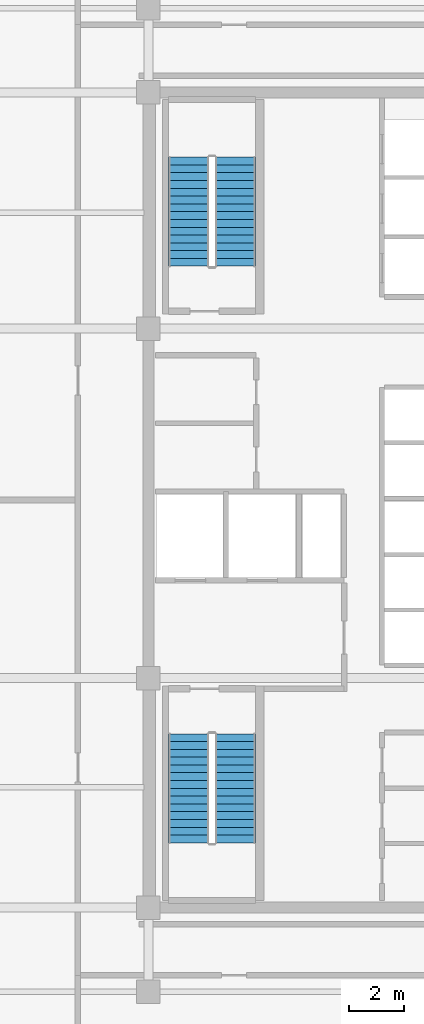
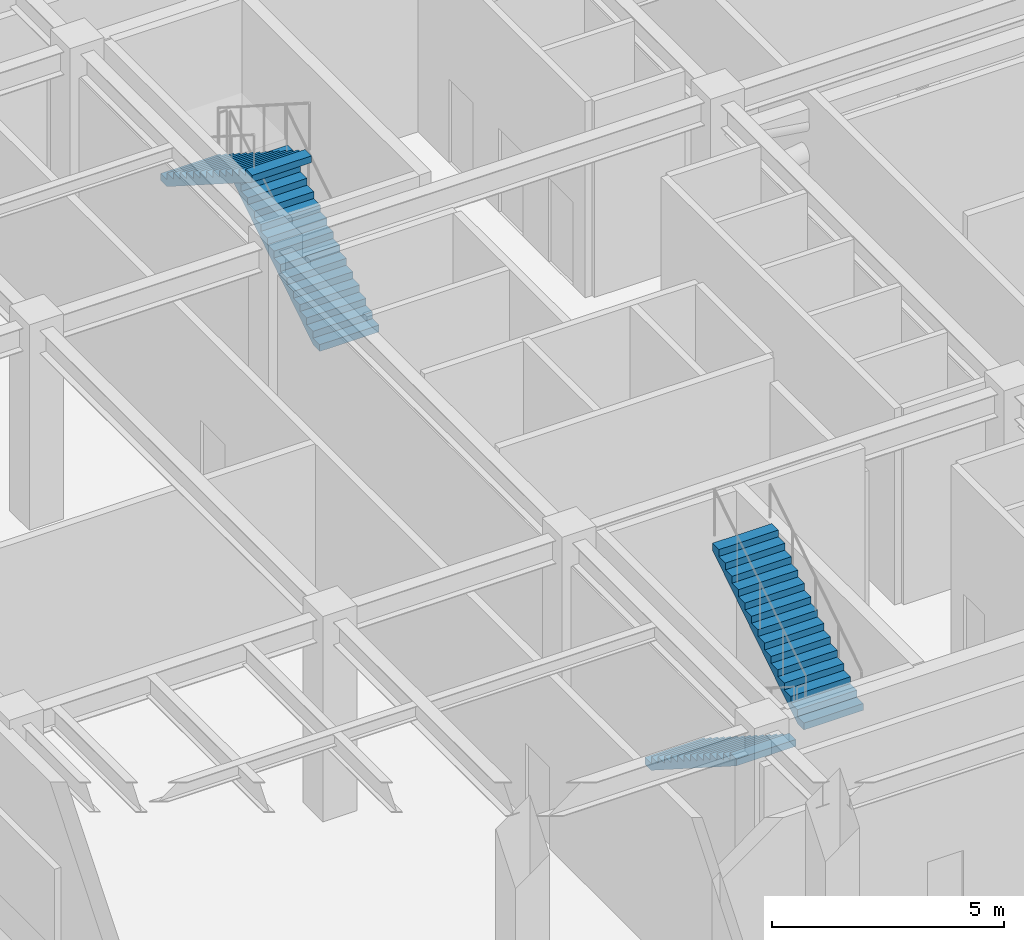
# One storey, part 8 of 12: 4 stair flights, 2 elements without a shape of their own.
"""IFC4 building model written with IfcOpenShell, lengths in metres."""

from ifc_helpers import new_model, si_unit, direction, frame, origin, place, context, subcontext, project, spatial, polyline, outline, extrude, material, type_object, element, aggregate, save


model = new_model("IFC4")

# Units and contexts
model_context = context("Model", 3, precision=1e-05, world=origin(), true_north=direction((0.0, 1.0)))
body_context = subcontext(model_context, "Body", "Model", "MODEL_VIEW")
ifc_project = project(units=[si_unit("LENGTHUNIT", "METRE"), si_unit("AREAUNIT", "SQUARE_METRE"), si_unit("VOLUMEUNIT", "CUBIC_METRE"), si_unit("PLANEANGLEUNIT", "RADIAN"), si_unit("MASSUNIT", "GRAM", prefix="KILO")], contexts=[model_context])

# Site, building, storey
site_placement = place(None, origin())
site = spatial("IfcSite", under=ifc_project, at=site_placement, CompositionType="ELEMENT")
building_placement = place(site_placement, origin())
building = spatial("IfcBuilding", under=site, at=building_placement, Name="Ochreholt Gables", CompositionType="ELEMENT")
storey_placement = place(building_placement, frame((0.0, 0.0, 135.60009765625)))
storey = spatial("IfcBuildingStorey", under=building, at=storey_placement, Name="L35", CompositionType="ELEMENT", Elevation=135.60009765625)

# Stair, stair flights
ifc_material = material(Name="Concrete 40 MPa", Category="concrete")
stair_type_1 = type_object("IfcStairType", Name="STAIR-CORE-ST-1", PredefinedType="HALF_TURN_STAIR", material=ifc_material)
stair_1_placement = place(storey_placement, origin())
stair_1 = element("IfcStair", 1, at=stair_1_placement, inside=storey, type_object=stair_type_1, Name="L35 Core Exit Stair 1", PredefinedType="HALF_TURN_STAIR")
stair_flight_type = type_object("IfcStairFlightType", Name="FLIGHT-ST-1480-1800", PredefinedType="STRAIGHT", material=ifc_material)
stair_flight_1_placement = place(storey_placement, frame((25.659912109375, 15.5400390625, 0.0), z_axis=(0.0, 0.0, 1.0), x_axis=(0.0, -1.0, 0.0)))
stair_flight_1 = element("IfcStairFlight", 2, at=stair_flight_1_placement, type_object=stair_flight_type, Name="ST-1 flight 1", NumberOfRisers=15, NumberOfTreads=14, PredefinedType="STRAIGHT", RiserHeight=0.18, TreadLength=0.282, context=body_context, shape_type="SweptSolid", body=[
    extrude(outline(polyline([(0.0, 0.0), (0.0, 0.179931640625), (0.281982421875, 0.179931640625), (0.281982421875, 0.360107421875), (0.56396484375, 0.360107421875), (0.56396484375, 0.5400390625), (0.845947265625, 0.5400390625), (0.845947265625, 0.719970703125), (1.1279296875, 0.719970703125), (1.1279296875, 0.89990234375), (1.409912109375, 0.89990234375), (1.409912109375, 1.080078125), (1.69189453125, 1.080078125), (1.69189453125, 1.260009765625), (1.97412109375, 1.260009765625), (1.97412109375, 1.43994140625), (2.256103515625, 1.43994140625), (2.256103515625, 1.6201171875), (2.5380859375, 1.6201171875), (2.5380859375, 1.800048828125), (2.820068359375, 1.800048828125), (2.820068359375, 1.97998046875), (3.10205078125, 1.97998046875), (3.10205078125, 2.159912109375), (3.384033203125, 2.159912109375), (3.384033203125, 2.340087890625), (3.666015625, 2.340087890625), (3.666015625, 2.52001953125), (3.947998046875, 2.52001953125), (3.947998046875, 2.699951171875), (3.947998046875, 2.34228515625), (0.278564453125, 0.0), (0.0, 0.0)])), frame((0.0, 0.739990234375, 0.0), z_axis=(0.0, -1.0, 0.0), x_axis=(1.0, 0.0, 0.0)), (0.0, 0.0, 1.0), 1.47998046875),
])
stair_flight_2_placement = place(storey_placement, frame((27.340087890625, 11.592041015625, 2.699951171875), z_axis=(0.0, 0.0, 1.0), x_axis=(0.0, 1.0, 0.0)))
stair_flight_2 = element("IfcStairFlight", 3, at=stair_flight_2_placement, type_object=stair_flight_type, Name="ST-1 flight 2", NumberOfRisers=15, NumberOfTreads=14, PredefinedType="STRAIGHT", RiserHeight=0.18, TreadLength=0.282, context=body_context, shape_type="SweptSolid", body=[
    extrude(outline(polyline([(0.0, 0.0), (0.0, 0.179931640625), (0.281982421875, 0.179931640625), (0.281982421875, 0.360107421875), (0.56396484375, 0.360107421875), (0.56396484375, 0.5400390625), (0.845947265625, 0.5400390625), (0.845947265625, 0.719970703125), (1.1279296875, 0.719970703125), (1.1279296875, 0.89990234375), (1.409912109375, 0.89990234375), (1.409912109375, 1.080078125), (1.69189453125, 1.080078125), (1.69189453125, 1.260009765625), (1.97412109375, 1.260009765625), (1.97412109375, 1.43994140625), (2.256103515625, 1.43994140625), (2.256103515625, 1.6201171875), (2.5380859375, 1.6201171875), (2.5380859375, 1.800048828125), (2.820068359375, 1.800048828125), (2.820068359375, 1.97998046875), (3.10205078125, 1.97998046875), (3.10205078125, 2.159912109375), (3.384033203125, 2.159912109375), (3.384033203125, 2.340087890625), (3.666015625, 2.340087890625), (3.666015625, 2.52001953125), (3.947998046875, 2.52001953125), (3.947998046875, 2.699951171875), (3.947998046875, 2.34228515625), (0.278564453125, 0.0), (0.0, 0.0)])), frame((0.0, 0.739990234375, 0.0), z_axis=(0.0, -1.0, 0.0), x_axis=(1.0, 0.0, 0.0)), (0.0, 0.0, 1.0), 1.47998046875),
])
aggregate(stair_1, [stair_flight_1, stair_flight_2])

stair_type_2 = type_object("IfcStairType", Name="STAIR-CORE-ST-2", PredefinedType="HALF_TURN_STAIR", material=ifc_material)
stair_2_placement = place(storey_placement, origin())
stair_2 = element("IfcStair", 4, at=stair_2_placement, inside=storey, type_object=stair_type_2, Name="L35 Core Exit Stair 2", PredefinedType="HALF_TURN_STAIR")
stair_flight_3_placement = place(storey_placement, frame((27.340087890625, 32.4599609375, 0.0), z_axis=(0.0, 0.0, 1.0), x_axis=(0.0, 1.0, 0.0)))
stair_flight_3 = element("IfcStairFlight", 5, at=stair_flight_3_placement, type_object=stair_flight_type, Name="ST-2 flight 1", NumberOfRisers=15, NumberOfTreads=14, PredefinedType="STRAIGHT", RiserHeight=0.18, TreadLength=0.282, context=body_context, shape_type="SweptSolid", body=[
    extrude(outline(polyline([(0.0, 0.0), (0.0, 0.179931640625), (0.281982421875, 0.179931640625), (0.281982421875, 0.360107421875), (0.56396484375, 0.360107421875), (0.56396484375, 0.5400390625), (0.845947265625, 0.5400390625), (0.845947265625, 0.719970703125), (1.1279296875, 0.719970703125), (1.1279296875, 0.89990234375), (1.409912109375, 0.89990234375), (1.409912109375, 1.080078125), (1.69189453125, 1.080078125), (1.69189453125, 1.260009765625), (1.97412109375, 1.260009765625), (1.97412109375, 1.43994140625), (2.256103515625, 1.43994140625), (2.256103515625, 1.6201171875), (2.5380859375, 1.6201171875), (2.5380859375, 1.800048828125), (2.820068359375, 1.800048828125), (2.820068359375, 1.97998046875), (3.10205078125, 1.97998046875), (3.10205078125, 2.159912109375), (3.384033203125, 2.159912109375), (3.384033203125, 2.340087890625), (3.666015625, 2.340087890625), (3.666015625, 2.52001953125), (3.947998046875, 2.52001953125), (3.947998046875, 2.699951171875), (3.947998046875, 2.34228515625), (0.278564453125, 0.0), (0.0, 0.0)])), frame((0.0, 0.739990234375, 0.0), z_axis=(0.0, -1.0, 0.0), x_axis=(1.0, 0.0, 0.0)), (0.0, 0.0, 1.0), 1.47998046875),
])
stair_flight_4_placement = place(storey_placement, frame((25.659912109375, 36.407958984375, 2.699951171875), z_axis=(0.0, 0.0, 1.0), x_axis=(0.0, -1.0, 0.0)))
stair_flight_4 = element("IfcStairFlight", 6, at=stair_flight_4_placement, type_object=stair_flight_type, Name="ST-2 flight 2", NumberOfRisers=15, NumberOfTreads=14, PredefinedType="STRAIGHT", RiserHeight=0.18, TreadLength=0.282, context=body_context, shape_type="SweptSolid", body=[
    extrude(outline(polyline([(0.0, 0.0), (0.0, 0.179931640625), (0.281982421875, 0.179931640625), (0.281982421875, 0.360107421875), (0.56396484375, 0.360107421875), (0.56396484375, 0.5400390625), (0.845947265625, 0.5400390625), (0.845947265625, 0.719970703125), (1.1279296875, 0.719970703125), (1.1279296875, 0.89990234375), (1.409912109375, 0.89990234375), (1.409912109375, 1.080078125), (1.69189453125, 1.080078125), (1.69189453125, 1.260009765625), (1.97412109375, 1.260009765625), (1.97412109375, 1.43994140625), (2.256103515625, 1.43994140625), (2.256103515625, 1.6201171875), (2.5380859375, 1.6201171875), (2.5380859375, 1.800048828125), (2.820068359375, 1.800048828125), (2.820068359375, 1.97998046875), (3.10205078125, 1.97998046875), (3.10205078125, 2.159912109375), (3.384033203125, 2.159912109375), (3.384033203125, 2.340087890625), (3.666015625, 2.340087890625), (3.666015625, 2.52001953125), (3.947998046875, 2.52001953125), (3.947998046875, 2.699951171875), (3.947998046875, 2.34228515625), (0.278564453125, 0.0), (0.0, 0.0)])), frame((0.0, 0.739990234375, 0.0), z_axis=(0.0, -1.0, 0.0), x_axis=(1.0, 0.0, 0.0)), (0.0, 0.0, 1.0), 1.47998046875),
])
aggregate(stair_2, [stair_flight_3, stair_flight_4])

save(model, "model.ifc")
